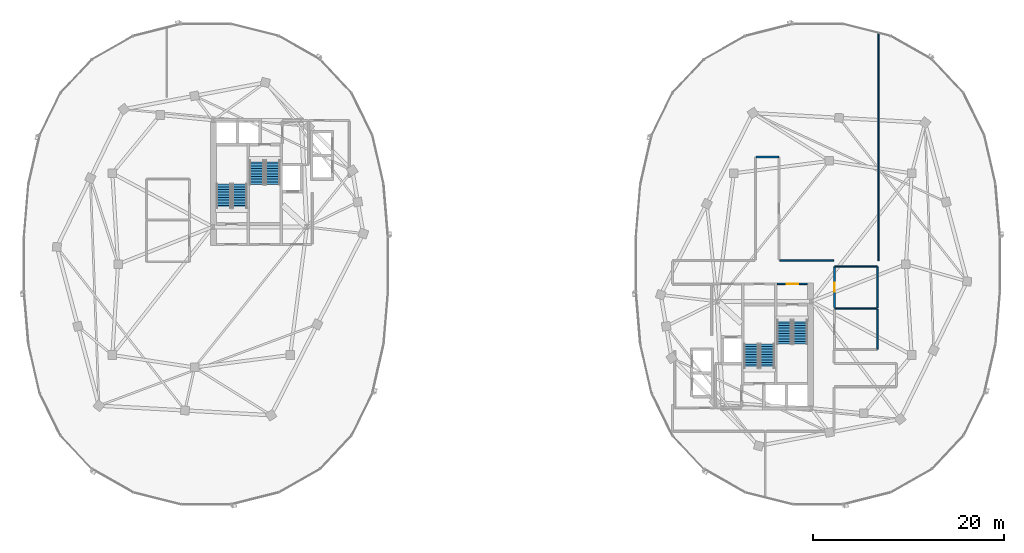
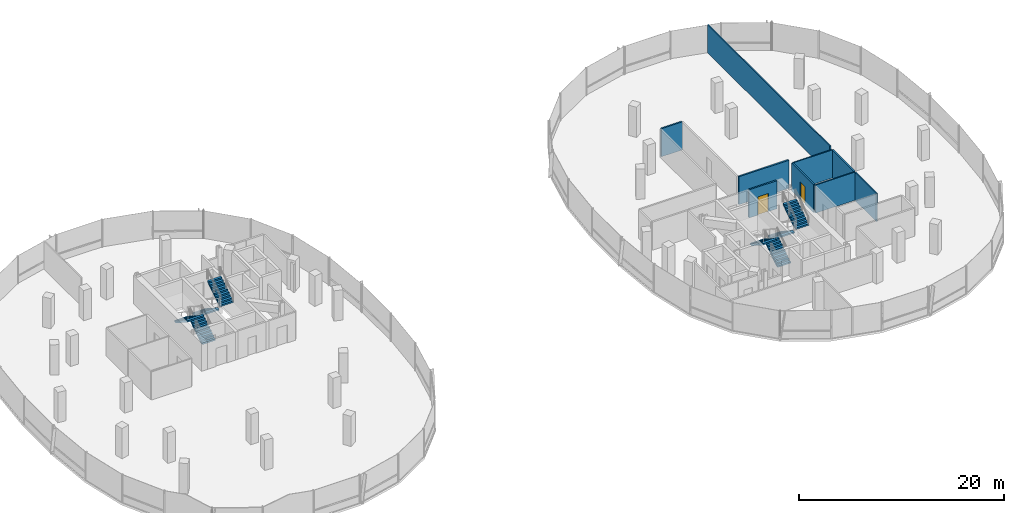
# One storey, part 17 of 24: 9 walls, 8 stair flights, 2 doors, 2 openings, 4 elements without a shape of their own.
"""IFC4 building model written with IfcOpenShell, lengths in metres."""

from ifc_helpers import new_model, si_unit, direction, frame, frame_2d, origin, place, context, subcontext, project, spatial, polyline, rectangle, outline, extrude, material, layer, layer_set, type_object, element, fill, aggregate, save


model = new_model("IFC4")

# Units and contexts
model_context = context("Model", 3, precision=1e-05, world=origin(), true_north=direction((0.0, 1.0)))
body_context = subcontext(model_context, "Body", "Model", "MODEL_VIEW")
ifc_project = project(units=[si_unit("LENGTHUNIT", "METRE"), si_unit("AREAUNIT", "SQUARE_METRE"), si_unit("VOLUMEUNIT", "CUBIC_METRE"), si_unit("PLANEANGLEUNIT", "RADIAN"), si_unit("MASSUNIT", "GRAM", prefix="KILO"), si_unit("THERMODYNAMICTEMPERATUREUNIT", "KELVIN"), si_unit("POWERUNIT", "WATT")], contexts=[model_context])

# Site, building, storey
site_placement = place(None, origin())
site = spatial("IfcSite", under=ifc_project, at=site_placement, CompositionType="ELEMENT")
building_placement = place(site_placement, origin())
building = spatial("IfcBuilding", under=site, at=building_placement, Name="Cundina Bronze Exchange", CompositionType="ELEMENT")
storey_placement = place(building_placement, frame((0.0, 0.0, 227.800048828125)))
storey = spatial("IfcBuildingStorey", under=building, at=storey_placement, Name="L60", CompositionType="ELEMENT", Elevation=227.800048828125)

# Wall, opening, door
ifc_material_1 = material(Name="Gypsum Fireboard Partition EI120")
ifc_layer_1 = layer(ifc_material_1, 0.179931640625, Name="Gypsum Fireboard Partition EI120")
ifc_layer_set_1 = layer_set([ifc_layer_1], Name="Gypsum Fireboard Partition EI120")
wall_type_1 = type_object("IfcWallType", Name="WL-COR-180", PredefinedType="PARTITIONING", material=ifc_layer_set_1)
wall_1_placement = place(storey_placement, frame((27.739990234375, -2.06005859375, 0.0), z_axis=(0.0, 0.0, 1.0), x_axis=(1.0, 0.0, 0.0)))
wall_1 = element("IfcWall", 1, at=wall_1_placement, inside=storey, type_object=wall_type_1, Name="L60 E Stair Vestibule Exit Wall", PredefinedType="PARTITIONING", context=body_context, shape_type="SweptSolid", body=[
    extrude(rectangle(XDim=3.159912109375, YDim=0.179931640625, at=frame_2d((1.580078125, 0.0))), origin(), (0.0, 0.0, 1.0), 3.33984375),
])
opening_1_placement = place(wall_1_placement, frame((0.97998046875, 0.0, 0.0)))
opening_1 = element("IfcOpeningElement", 2, at=opening_1_placement, cuts=wall_1, Name="Opening DF-01", PredefinedType="OPENING", context=body_context, shape_type="SweptSolid", body=[
    extrude(rectangle(XDim=1.199951171875, YDim=2.14990234375, at=frame_2d((0.60009765625, 1.074951171875))), frame((0.0, 0.099853515625, 0.0), z_axis=(0.0, -1.0, 0.0), x_axis=(1.0, 0.0, 0.0)), (0.0, 0.0, 1.0), 0.199951171875),
])
ifc_material_2 = material(Name="Steel ASTM A36 Painted", Category="steel")
door_type_1 = type_object("IfcDoorType", Name="DR-FFL-1200", OperationType="NOTDEFINED", PredefinedType="DOOR", material=ifc_material_2)
door_1_placement = place(opening_1_placement, origin())
door_1 = element("IfcDoor", 3, at=door_1_placement, inside=storey, type_object=door_type_1, Name="L60 E Stair Vestibule Door", OperationType="SINGLE_SWING_RIGHT", OverallHeight=2.14990234375, OverallWidth=1.199951171875, PredefinedType="DOOR", context=body_context, shape_type="SweptSolid", body=[
    extrude(rectangle(XDim=1.199951171875, YDim=2.14990234375, at=frame_2d((0.60009765625, 1.074951171875))), frame((0.0, 0.02490234375, 0.0), z_axis=(0.0, -1.0, 0.0), x_axis=(1.0, 0.0, 0.0)), (0.0, 0.0, 1.0), 0.050048828125),
])
fill(opening_1, door_1)

wall_2_placement = place(storey_placement, frame((33.719970703125, -4.530029296875, 0.0), z_axis=(0.0, 0.0, 1.0), x_axis=(0.0, 1.0, 0.0)))
wall_2 = element("IfcWall", 4, at=wall_2_placement, inside=storey, type_object=wall_type_1, Name="L60 Interior Partition 030", PredefinedType="PARTITIONING", context=body_context, shape_type="SweptSolid", body=[
    extrude(rectangle(XDim=4.260009765625, YDim=0.179931640625, at=frame_2d((2.1298828125, 0.0))), origin(), (0.0, 0.0, 1.0), 3.33984375),
])
opening_2_placement = place(wall_2_placement, frame((1.655029296875, 0.0, 0.0)))
opening_2 = element("IfcOpeningElement", 5, at=opening_2_placement, cuts=wall_2, Name="Opening DW-01", PredefinedType="OPENING", context=body_context, shape_type="SweptSolid", body=[
    extrude(rectangle(XDim=0.949951171875, YDim=2.10009765625, at=frame_2d((0.47509765625, 1.050048828125))), frame((0.0, 0.099853515625, 0.0), z_axis=(0.0, -1.0, 0.0), x_axis=(1.0, 0.0, 0.0)), (0.0, 0.0, 1.0), 0.199951171875),
])
ifc_material_3 = material(Name="Solid Andean Oak Timber Grade A", Category="wood")
door_type_2 = type_object("IfcDoorType", Name="DR-WC-950", OperationType="NOTDEFINED", PredefinedType="DOOR", material=ifc_material_3)
door_2_placement = place(opening_2_placement, origin())
door_2 = element("IfcDoor", 6, at=door_2_placement, inside=storey, type_object=door_type_2, Name="L60 Interior Door 030", OperationType="SINGLE_SWING_LEFT", OverallHeight=2.10009765625, OverallWidth=0.949951171875, PredefinedType="DOOR", context=body_context, shape_type="SweptSolid", body=[
    extrude(rectangle(XDim=0.949951171875, YDim=2.10009765625, at=frame_2d((0.47509765625, 1.050048828125))), frame((0.0, 0.02490234375, 0.0), z_axis=(0.0, -1.0, 0.0), x_axis=(1.0, 0.0, 0.0)), (0.0, 0.0, 1.0), 0.050048828125),
])
fill(opening_2, door_2)

# Walls
wall_3_placement = place(storey_placement, frame((33.62841796875, 0.3701171875, 0.0), z_axis=(0.0, 0.0, 1.0), x_axis=(-1.0, 0.0, 0.0)))
element("IfcWall", 7, at=wall_3_placement, inside=storey, type_object=wall_type_1, Name="L60 Interior Partition 041", PredefinedType="PARTITIONING", context=body_context, shape_type="SweptSolid", body=[
    extrude(rectangle(XDim=5.62841796875, YDim=0.179931640625, at=frame_2d((2.814208984375, 0.0))), origin(), (0.0, 0.0, 1.0), 3.33984375),
])
wall_4_placement = place(storey_placement, frame((27.87841796875, 11.219970703125, 0.0), z_axis=(0.0, 0.0, 1.0), x_axis=(-1.0, 0.0, 0.0)))
element("IfcWall", 8, at=wall_4_placement, inside=storey, type_object=wall_type_1, Name="L60 Interior Partition 046", PredefinedType="PARTITIONING", context=body_context, shape_type="SweptSolid", body=[
    extrude(rectangle(XDim=2.35693359375, YDim=0.179931640625, at=frame_2d((1.178466796875, 0.0))), origin(), (0.0, 0.0, 1.0), 3.33984375),
])
ifc_material_4 = material(Name="Gypsum Acoustic Partition EI60")
ifc_layer_2 = layer(ifc_material_4, 0.125, Name="Gypsum Acoustic Partition EI60")
ifc_layer_set_2 = layer_set([ifc_layer_2], Name="Gypsum Acoustic Partition EI60")
wall_type_2 = type_object("IfcWallType", Name="WL-OFF-125", PredefinedType="PARTITIONING", material=ifc_layer_set_2)
wall_5_placement = place(storey_placement, frame((38.340087890625, 0.3701171875, 0.0), z_axis=(0.0, 0.0, 1.0), x_axis=(0.0, 1.0, 0.0)))
element("IfcWall", 9, at=wall_5_placement, inside=storey, type_object=wall_type_2, Name="L60 Interior Partition 032", PredefinedType="PARTITIONING", context=body_context, shape_type="SweptSolid", body=[
    extrude(rectangle(XDim=23.884521484375, YDim=0.125, at=frame_2d((11.9423828125, 0.0))), origin(), (0.0, 0.0, 1.0), 3.33984375),
])
ifc_material_5 = material(Name="Moisture-Resistant Masonry Block Grade M15", Category="masonry")
ifc_layer_3 = layer(ifc_material_5, 0.139892578125, Name="Moisture-Resistant Masonry Block Grade M15", Category="masonry")
ifc_layer_set_3 = layer_set([ifc_layer_3], Name="Moisture-Resistant Masonry Block Grade M15")
wall_type_3 = type_object("IfcWallType", Name="WL-WET-140", PredefinedType="PARTITIONING", material=ifc_layer_set_3)
wall_6_placement = place(storey_placement, frame((38.239990234375, -8.889892578125, 0.0), z_axis=(0.0, 0.0, 1.0), x_axis=(0.0, 1.0, 0.0)))
element("IfcWall", 10, at=wall_6_placement, inside=storey, type_object=wall_type_3, Name="L60 Interior Partition 025", PredefinedType="PARTITIONING", context=body_context, shape_type="SweptSolid", body=[
    extrude(rectangle(XDim=4.1748046875, YDim=0.139892578125, at=frame_2d((2.08740234375, 0.0))), origin(), (0.0, 0.0, 1.0), 3.33984375),
])
wall_7_placement = place(storey_placement, frame((38.239990234375, -4.544921875, 0.0), z_axis=(0.0, 0.0, 1.0), x_axis=(0.0, 1.0, 0.0)))
element("IfcWall", 11, at=wall_7_placement, inside=storey, type_object=wall_type_3, Name="L60 Interior Partition 026", PredefinedType="PARTITIONING", context=body_context, shape_type="SweptSolid", body=[
    extrude(rectangle(XDim=4.27490234375, YDim=0.139892578125, at=frame_2d((2.137451171875, 0.0))), origin(), (0.0, 0.0, 1.0), 3.33984375),
])
for number, where, z_axis, x_axis, name in (
    (12, (33.739990234375, -0.25, 0.0), (0.0, 0.0, 1.0), (1.0, 0.0, 0.0), "L60 Interior Partition 027"),
    (13, (33.739990234375, -4.6298828125, 0.0), (0.0, 0.0, 1.0), (1.0, 0.0, 0.0), "L60 Interior Partition 028"),
):
    element("IfcWall", number, at=place(storey_placement, frame(where, z_axis=z_axis, x_axis=x_axis)), inside=storey, type_object=wall_type_3, Name=name, PredefinedType="PARTITIONING", context=body_context, shape_type="SweptSolid", body=[
        extrude(rectangle(XDim=4.47998046875, YDim=0.139892578125, at=frame_2d((2.239990234375, 0.0))), origin(), (0.0, 0.0, 1.0), 3.33984375),
    ])

# Stair, stair flights
ifc_material_6 = material(Name="Concrete C40/50", Category="concrete")
stair_type = type_object("IfcStairType", Name="STR-OFF-360", PredefinedType="HALF_TURN_STAIR", material=ifc_material_6)
stair_1_placement = place(storey_placement, origin())
stair_1 = element("IfcStair", 14, at=stair_1_placement, inside=storey, type_object=stair_type, Name="L60 Smokeproof Exit Stair W1", PredefinedType="HALF_TURN_STAIR")
stair_flight_type = type_object("IfcStairFlightType", Name="FLG-OFF-180", PredefinedType="STRAIGHT", material=ifc_material_6)
stair_flight_1_placement = place(storey_placement, frame((-28.489990234375, 5.85009765625, 0.0), z_axis=(0.0, 0.0, 1.0), x_axis=(0.0, 1.0, 0.0)))
stair_flight_1 = element("IfcStairFlight", 15, at=stair_flight_1_placement, type_object=stair_flight_type, Name="ST-W1 flight 1", NumberOfRisers=10, NumberOfTreads=9, PredefinedType="STRAIGHT", RiserHeight=0.18, TreadLength=0.28, context=body_context, shape_type="SweptSolid", body=[
    extrude(outline(polyline([(0.0, 0.0), (0.0, 0.179931640625), (0.280029296875, 0.179931640625), (0.280029296875, 0.360107421875), (0.56005859375, 0.360107421875), (0.56005859375, 0.5400390625), (0.840087890625, 0.5400390625), (0.840087890625, 0.719970703125), (1.1201171875, 0.719970703125), (1.1201171875, 0.89990234375), (1.39990234375, 0.89990234375), (1.39990234375, 1.080078125), (1.679931640625, 1.080078125), (1.679931640625, 1.260009765625), (1.9599609375, 1.260009765625), (1.9599609375, 1.43994140625), (2.239990234375, 1.43994140625), (2.239990234375, 1.6201171875), (2.52001953125, 1.6201171875), (2.52001953125, 1.800048828125), (2.52001953125, 1.44189453125), (0.277099609375, 0.0), (0.0, 0.0)])), frame((0.0, 0.75, 0.0), z_axis=(0.0, -1.0, 0.0), x_axis=(1.0, 0.0, 0.0)), (0.0, 0.0, 1.0), 1.5),
])
stair_flight_2_placement = place(storey_placement, frame((-30.14990234375, 8.3701171875, 1.800048828125), z_axis=(0.0, 0.0, 1.0), x_axis=(0.0, -1.0, 0.0)))
stair_flight_2 = element("IfcStairFlight", 16, at=stair_flight_2_placement, type_object=stair_flight_type, Name="ST-W1 flight 2", NumberOfRisers=10, NumberOfTreads=9, PredefinedType="STRAIGHT", RiserHeight=0.18, TreadLength=0.28, context=body_context, shape_type="SweptSolid", body=[
    extrude(outline(polyline([(0.0, 0.0), (0.0, 0.179931640625), (0.280029296875, 0.179931640625), (0.280029296875, 0.360107421875), (0.56005859375, 0.360107421875), (0.56005859375, 0.5400390625), (0.840087890625, 0.5400390625), (0.840087890625, 0.719970703125), (1.1201171875, 0.719970703125), (1.1201171875, 0.89990234375), (1.39990234375, 0.89990234375), (1.39990234375, 1.080078125), (1.679931640625, 1.080078125), (1.679931640625, 1.260009765625), (1.9599609375, 1.260009765625), (1.9599609375, 1.43994140625), (2.239990234375, 1.43994140625), (2.239990234375, 1.6201171875), (2.52001953125, 1.6201171875), (2.52001953125, 1.800048828125), (2.52001953125, 1.44189453125), (0.277099609375, 0.0), (0.0, 0.0)])), frame((0.0, 0.75, 0.0), z_axis=(0.0, -1.0, 0.0), x_axis=(1.0, 0.0, 0.0)), (0.0, 0.0, 1.0), 1.5),
])
aggregate(stair_1, [stair_flight_1, stair_flight_2])

stair_2_placement = place(storey_placement, origin())
stair_2 = element("IfcStair", 17, at=stair_2_placement, inside=storey, type_object=stair_type, Name="L60 Smokeproof Exit Stair W2", PredefinedType="HALF_TURN_STAIR")
stair_flight_3_placement = place(storey_placement, frame((-26.68994140625, 10.85009765625, 0.0), z_axis=(0.0, 0.0, 1.0), x_axis=(0.0, -1.0, 0.0)))
stair_flight_3 = element("IfcStairFlight", 18, at=stair_flight_3_placement, type_object=stair_flight_type, Name="ST-W2 flight 1", NumberOfRisers=10, NumberOfTreads=9, PredefinedType="STRAIGHT", RiserHeight=0.18, TreadLength=0.28, context=body_context, shape_type="SweptSolid", body=[
    extrude(outline(polyline([(0.0, 0.0), (0.0, 0.179931640625), (0.280029296875, 0.179931640625), (0.280029296875, 0.360107421875), (0.56005859375, 0.360107421875), (0.56005859375, 0.5400390625), (0.840087890625, 0.5400390625), (0.840087890625, 0.719970703125), (1.1201171875, 0.719970703125), (1.1201171875, 0.89990234375), (1.39990234375, 0.89990234375), (1.39990234375, 1.080078125), (1.679931640625, 1.080078125), (1.679931640625, 1.260009765625), (1.9599609375, 1.260009765625), (1.9599609375, 1.43994140625), (2.239990234375, 1.43994140625), (2.239990234375, 1.6201171875), (2.52001953125, 1.6201171875), (2.52001953125, 1.800048828125), (2.52001953125, 1.44189453125), (0.277099609375, 0.0), (0.0, 0.0)])), frame((0.0, 0.75, 0.0), z_axis=(0.0, -1.0, 0.0), x_axis=(1.0, 0.0, 0.0)), (0.0, 0.0, 1.0), 1.5),
])
stair_flight_4_placement = place(storey_placement, frame((-25.030029296875, 8.330078125, 1.800048828125), z_axis=(0.0, 0.0, 1.0), x_axis=(0.0, 1.0, 0.0)))
stair_flight_4 = element("IfcStairFlight", 19, at=stair_flight_4_placement, type_object=stair_flight_type, Name="ST-W2 flight 2", NumberOfRisers=10, NumberOfTreads=9, PredefinedType="STRAIGHT", RiserHeight=0.18, TreadLength=0.28, context=body_context, shape_type="SweptSolid", body=[
    extrude(outline(polyline([(0.0, 0.0), (0.0, 0.179931640625), (0.280029296875, 0.179931640625), (0.280029296875, 0.360107421875), (0.56005859375, 0.360107421875), (0.56005859375, 0.5400390625), (0.840087890625, 0.5400390625), (0.840087890625, 0.719970703125), (1.1201171875, 0.719970703125), (1.1201171875, 0.89990234375), (1.39990234375, 0.89990234375), (1.39990234375, 1.080078125), (1.679931640625, 1.080078125), (1.679931640625, 1.260009765625), (1.9599609375, 1.260009765625), (1.9599609375, 1.43994140625), (2.239990234375, 1.43994140625), (2.239990234375, 1.6201171875), (2.52001953125, 1.6201171875), (2.52001953125, 1.800048828125), (2.52001953125, 1.44189453125), (0.277099609375, 0.0), (0.0, 0.0)])), frame((0.0, 0.75, 0.0), z_axis=(0.0, -1.0, 0.0), x_axis=(1.0, 0.0, 0.0)), (0.0, 0.0, 1.0), 1.5),
])
aggregate(stair_2, [stair_flight_3, stair_flight_4])

stair_3_placement = place(storey_placement, origin())
stair_3 = element("IfcStair", 20, at=stair_3_placement, inside=storey, type_object=stair_type, Name="L60 Smokeproof Exit Stair E1", PredefinedType="HALF_TURN_STAIR")
stair_flight_5_placement = place(storey_placement, frame((28.489990234375, -5.85009765625, 0.0), z_axis=(0.0, 0.0, 1.0), x_axis=(0.0, -1.0, 0.0)))
stair_flight_5 = element("IfcStairFlight", 21, at=stair_flight_5_placement, type_object=stair_flight_type, Name="ST-E1 flight 1", NumberOfRisers=10, NumberOfTreads=9, PredefinedType="STRAIGHT", RiserHeight=0.18, TreadLength=0.28, context=body_context, shape_type="SweptSolid", body=[
    extrude(outline(polyline([(0.0, 0.0), (0.0, 0.179931640625), (0.280029296875, 0.179931640625), (0.280029296875, 0.360107421875), (0.56005859375, 0.360107421875), (0.56005859375, 0.5400390625), (0.840087890625, 0.5400390625), (0.840087890625, 0.719970703125), (1.1201171875, 0.719970703125), (1.1201171875, 0.89990234375), (1.39990234375, 0.89990234375), (1.39990234375, 1.080078125), (1.679931640625, 1.080078125), (1.679931640625, 1.260009765625), (1.9599609375, 1.260009765625), (1.9599609375, 1.43994140625), (2.239990234375, 1.43994140625), (2.239990234375, 1.6201171875), (2.52001953125, 1.6201171875), (2.52001953125, 1.800048828125), (2.52001953125, 1.44189453125), (0.277099609375, 0.0), (0.0, 0.0)])), frame((0.0, 0.75, 0.0), z_axis=(0.0, -1.0, 0.0), x_axis=(1.0, 0.0, 0.0)), (0.0, 0.0, 1.0), 1.5),
])
stair_flight_6_placement = place(storey_placement, frame((30.14990234375, -8.3701171875, 1.800048828125), z_axis=(0.0, 0.0, 1.0), x_axis=(0.0, 1.0, 0.0)))
stair_flight_6 = element("IfcStairFlight", 22, at=stair_flight_6_placement, type_object=stair_flight_type, Name="ST-E1 flight 2", NumberOfRisers=10, NumberOfTreads=9, PredefinedType="STRAIGHT", RiserHeight=0.18, TreadLength=0.28, context=body_context, shape_type="SweptSolid", body=[
    extrude(outline(polyline([(0.0, 0.0), (0.0, 0.179931640625), (0.280029296875, 0.179931640625), (0.280029296875, 0.360107421875), (0.56005859375, 0.360107421875), (0.56005859375, 0.5400390625), (0.840087890625, 0.5400390625), (0.840087890625, 0.719970703125), (1.1201171875, 0.719970703125), (1.1201171875, 0.89990234375), (1.39990234375, 0.89990234375), (1.39990234375, 1.080078125), (1.679931640625, 1.080078125), (1.679931640625, 1.260009765625), (1.9599609375, 1.260009765625), (1.9599609375, 1.43994140625), (2.239990234375, 1.43994140625), (2.239990234375, 1.6201171875), (2.52001953125, 1.6201171875), (2.52001953125, 1.800048828125), (2.52001953125, 1.44189453125), (0.277099609375, 0.0), (0.0, 0.0)])), frame((0.0, 0.75, 0.0), z_axis=(0.0, -1.0, 0.0), x_axis=(1.0, 0.0, 0.0)), (0.0, 0.0, 1.0), 1.5),
])
aggregate(stair_3, [stair_flight_5, stair_flight_6])

stair_4_placement = place(storey_placement, origin())
stair_4 = element("IfcStair", 23, at=stair_4_placement, inside=storey, type_object=stair_type, Name="L60 Smokeproof Exit Stair E2", PredefinedType="HALF_TURN_STAIR")
stair_flight_7_placement = place(storey_placement, frame((26.68994140625, -10.85009765625, 0.0), z_axis=(0.0, 0.0, 1.0), x_axis=(0.0, 1.0, 0.0)))
stair_flight_7 = element("IfcStairFlight", 24, at=stair_flight_7_placement, type_object=stair_flight_type, Name="ST-E2 flight 1", NumberOfRisers=10, NumberOfTreads=9, PredefinedType="STRAIGHT", RiserHeight=0.18, TreadLength=0.28, context=body_context, shape_type="SweptSolid", body=[
    extrude(outline(polyline([(0.0, 0.0), (0.0, 0.179931640625), (0.280029296875, 0.179931640625), (0.280029296875, 0.360107421875), (0.56005859375, 0.360107421875), (0.56005859375, 0.5400390625), (0.840087890625, 0.5400390625), (0.840087890625, 0.719970703125), (1.1201171875, 0.719970703125), (1.1201171875, 0.89990234375), (1.39990234375, 0.89990234375), (1.39990234375, 1.080078125), (1.679931640625, 1.080078125), (1.679931640625, 1.260009765625), (1.9599609375, 1.260009765625), (1.9599609375, 1.43994140625), (2.239990234375, 1.43994140625), (2.239990234375, 1.6201171875), (2.52001953125, 1.6201171875), (2.52001953125, 1.800048828125), (2.52001953125, 1.44189453125), (0.277099609375, 0.0), (0.0, 0.0)])), frame((0.0, 0.75, 0.0), z_axis=(0.0, -1.0, 0.0), x_axis=(1.0, 0.0, 0.0)), (0.0, 0.0, 1.0), 1.5),
])
stair_flight_8_placement = place(storey_placement, frame((25.030029296875, -8.330078125, 1.800048828125), z_axis=(0.0, 0.0, 1.0), x_axis=(0.0, -1.0, 0.0)))
stair_flight_8 = element("IfcStairFlight", 25, at=stair_flight_8_placement, type_object=stair_flight_type, Name="ST-E2 flight 2", NumberOfRisers=10, NumberOfTreads=9, PredefinedType="STRAIGHT", RiserHeight=0.18, TreadLength=0.28, context=body_context, shape_type="SweptSolid", body=[
    extrude(outline(polyline([(0.0, 0.0), (0.0, 0.179931640625), (0.280029296875, 0.179931640625), (0.280029296875, 0.360107421875), (0.56005859375, 0.360107421875), (0.56005859375, 0.5400390625), (0.840087890625, 0.5400390625), (0.840087890625, 0.719970703125), (1.1201171875, 0.719970703125), (1.1201171875, 0.89990234375), (1.39990234375, 0.89990234375), (1.39990234375, 1.080078125), (1.679931640625, 1.080078125), (1.679931640625, 1.260009765625), (1.9599609375, 1.260009765625), (1.9599609375, 1.43994140625), (2.239990234375, 1.43994140625), (2.239990234375, 1.6201171875), (2.52001953125, 1.6201171875), (2.52001953125, 1.800048828125), (2.52001953125, 1.44189453125), (0.277099609375, 0.0), (0.0, 0.0)])), frame((0.0, 0.75, 0.0), z_axis=(0.0, -1.0, 0.0), x_axis=(1.0, 0.0, 0.0)), (0.0, 0.0, 1.0), 1.5),
])
aggregate(stair_4, [stair_flight_7, stair_flight_8])

save(model, "model.ifc")
